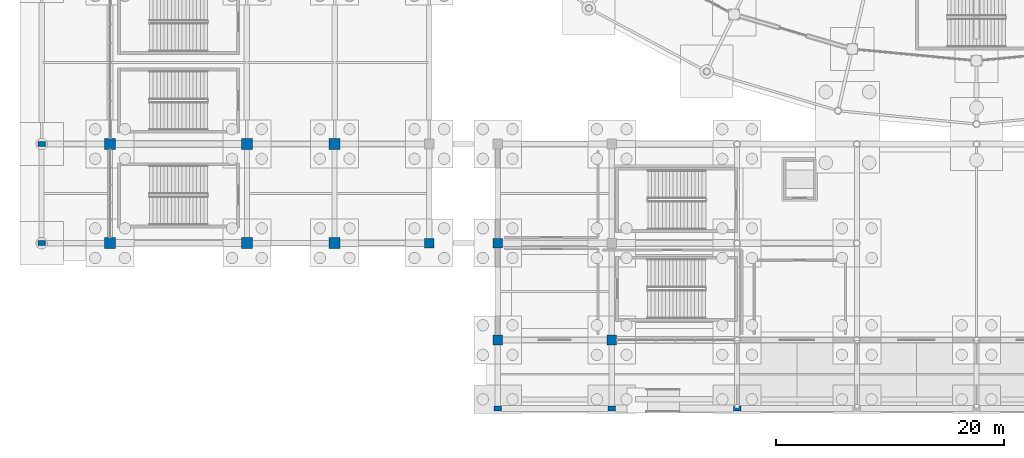
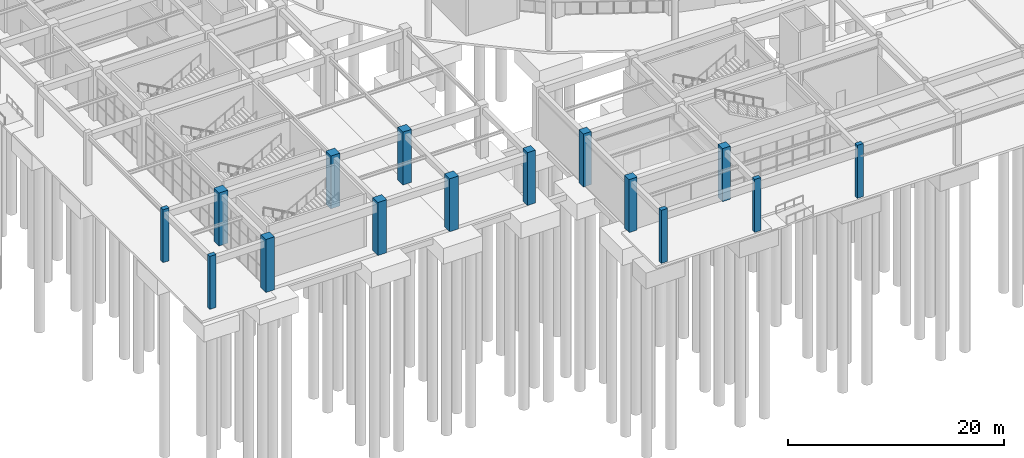
# One storey, part 9 of 121: 15 columns.
"""IFC4 building model written with IfcOpenShell, lengths in metres."""

import ifcopenshell
import ifcopenshell.guid

model = None  # the IFC model being written
_history = None  # IfcOwnerHistory: only IFC2X3 demands one
_inside = {}  # id of a spatial element -> (the spatial element, [elements in it])
_under = {}  # id of a project, library or spatial element -> (it, [spatial elements below it])
_declared = {}  # id of a project -> (the project, [libraries it declares])
_typed = {}  # id of a type object -> (the type object, [elements of that type])
_made_of = {}  # id of a material, layer set ... -> (it, [elements and type objects made of it])


def new_model(schema):
    """Start an empty IFC model of exactly this schema.

    Asked for "IFC4X3", IfcOpenShell would pick the latest addendum, in which some entities
    have other attributes; the version numbers below select the first issue.
    IFC2X3 requires an IfcOwnerHistory on every rooted entity: one is made here for all.
    """
    global model, _history
    if schema == "IFC4X3":
        model = ifcopenshell.file(schema_version=(4, 3, 0, 0))
    else:
        model = ifcopenshell.file(schema=schema)
    _inside.clear()
    _under.clear()
    _declared.clear()
    _typed.clear()
    _made_of.clear()
    _history = None
    if model.schema == "IFC2X3":
        org = make("IfcOrganization", Name="unknown")
        user = make(
            "IfcPersonAndOrganization",
            ThePerson=make("IfcPerson", FamilyName="unknown"),
            TheOrganization=org,
        )
        app = make(
            "IfcApplication",
            ApplicationDeveloper=org,
            Version="unknown",
            ApplicationFullName="unknown",
            ApplicationIdentifier="unknown",
        )
        _history = make(
            "IfcOwnerHistory",
            OwningUser=user,
            OwningApplication=app,
            ChangeAction="ADDED",
            CreationDate=0,
        )
    return model


def make(cls, **values):
    """One entity of the class cls with the attributes given. An attribute that is None is left unset."""
    return model.create_entity(
        cls, **{name: value for name, value in values.items() if value is not None}
    )


def rooted(cls, **values):
    """An entity with a GlobalId (a new one), such as an element, a storey or a relation."""
    return make(cls, GlobalId=ifcopenshell.guid.new(), OwnerHistory=_history, **values)


def si_unit(unit_type, name, prefix=None):
    """IfcSIUnit, for example si_unit("LENGTHUNIT", "METRE", prefix="MILLI")."""
    return make("IfcSIUnit", UnitType=unit_type, Prefix=prefix, Name=name)


def assignment(units):
    """IfcUnitAssignment: the units of a project."""
    return None if units is None else make("IfcUnitAssignment", Units=units)


def point(xyz):
    """IfcCartesianPoint."""
    return None if xyz is None else make("IfcCartesianPoint", Coordinates=xyz)


def direction(xyz):
    """IfcDirection."""
    return None if xyz is None else make("IfcDirection", DirectionRatios=xyz)


def frame(location, z_axis=None, x_axis=None):
    """IfcAxis2Placement3D, a coordinate frame: its origin and axes. An axis left out is left unset."""
    return make(
        "IfcAxis2Placement3D",
        Location=point(location),
        Axis=direction(z_axis),
        RefDirection=direction(x_axis),
    )


def frame_2d(location, x_axis=None):
    """IfcAxis2Placement2D, a coordinate frame in the plane: its origin and x axis."""
    return make(
        "IfcAxis2Placement2D", Location=point(location), RefDirection=direction(x_axis)
    )


def origin():
    """The frame at (0, 0, 0) with its axes left unset."""
    return frame((0.0, 0.0, 0.0))


def origin_2d():
    """The frame at (0, 0) in the plane with its x axis left unset."""
    return frame_2d((0.0, 0.0))


def place(relative_to, where):
    """IfcLocalPlacement: puts the frame where relative to a parent placement (None: the world)."""
    return make(
        "IfcLocalPlacement", PlacementRelTo=relative_to, RelativePlacement=where
    )


def context(
    kind, dimensions, precision=None, world=None, true_north=None, identifier=None
):
    """IfcGeometricRepresentationContext, for example the 3D "Model" context."""
    return make(
        "IfcGeometricRepresentationContext",
        ContextIdentifier=identifier,
        ContextType=kind,
        CoordinateSpaceDimension=dimensions,
        Precision=precision,
        WorldCoordinateSystem=world,
        TrueNorth=true_north,
    )


def subcontext(parent, identifier, kind, view, scale=None):
    """IfcGeometricRepresentationSubContext, for example "Body" below "Model"."""
    return make(
        "IfcGeometricRepresentationSubContext",
        ContextIdentifier=identifier,
        ContextType=kind,
        ParentContext=parent,
        TargetScale=scale,
        TargetView=view,
    )


def project(units=None, contexts=None):
    """IfcProject with its units and contexts."""
    return rooted(
        "IfcProject",
        Name="project",
        RepresentationContexts=contexts,
        UnitsInContext=assignment(units),
    )


def spatial(cls, under=None, at=None, **own):
    """A site, building, storey or space (cls), placed at a placement, below another one or the project."""
    s = rooted(cls, ObjectPlacement=at, **own)
    if under is not None:
        _under.setdefault(under.id(), (under, []))[1].append(s)
    return s


def profile(cls, at=None, kind="AREA", **sizes):
    """A parametric profile (cls). Its sizes go by their IFC names, for example OverallWidth=200.0."""
    return make(cls, ProfileType=kind, Position=at, **sizes)


def rectangle(**sizes):
    """IfcRectangleProfileDef."""
    return profile("IfcRectangleProfileDef", **sizes)


def extrude(swept, where, along, depth):
    """IfcExtrudedAreaSolid: the profile swept, set in the frame where, extruded along a direction by depth."""
    return make(
        "IfcExtrudedAreaSolid",
        SweptArea=swept,
        Position=where,
        ExtrudedDirection=direction(along),
        Depth=depth,
    )


def shape(context_of_items, identifier, shape_type, items):
    """IfcShapeRepresentation: the items that make up one representation, for example the "Body"."""
    return make(
        "IfcShapeRepresentation",
        ContextOfItems=context_of_items,
        RepresentationIdentifier=identifier,
        RepresentationType=shape_type,
        Items=items,
    )


def material(Name=None, Category=None):
    """IfcMaterial."""
    return make("IfcMaterial", Name=Name, Category=Category)


def material_profile(
    of_material, cross_section, Name=None, Category=None, Priority=None
):
    """IfcMaterialProfile: a cross section and its material."""
    return make(
        "IfcMaterialProfile",
        Name=Name,
        Material=of_material,
        Profile=cross_section,
        Priority=Priority,
        Category=Category,
    )


def profile_set(profiles, Name=None, composite=None):
    """IfcMaterialProfileSet."""
    return make(
        "IfcMaterialProfileSet",
        Name=Name,
        MaterialProfiles=profiles,
        CompositeProfile=composite,
    )


def made_of(thing, what):
    """Note that an element or type object is made of a material, layer set ...; save() writes the relation."""
    if what is not None:
        _made_of.setdefault(what.id(), (what, []))[1].append(thing)
    return thing


def type_object(cls, material=None, **own):
    """A type object (cls), such as IfcWallType, which elements share."""
    return made_of(rooted(cls, **own), material)


def element(
    cls,
    number,
    at=None,
    inside=None,
    cuts=None,
    type_object=None,
    material=None,
    context=None,
    identifier="Body",
    shape_type=None,
    held_by="IfcProductDefinitionShape",
    body=None,
    shapes=None,
    **own,
):
    """One element of the class cls, such as IfcWall. Its Tag is "e" and its number.

    at: its placement. inside: the storey or other place that contains it. cuts: it is an
    opening in that element (IfcRelVoidsElement). A single representation is given by context,
    identifier, shape_type and body (its items); several are given by shapes. held_by: the class
    of the entity that holds the representations. save() writes the other relations.
    """
    e = rooted(cls, Tag="e%d" % number, ObjectPlacement=at, **own)
    if body is not None:
        shapes = [shape(context, identifier, shape_type, body)]
    if shapes is not None:
        e.Representation = make(held_by, Representations=shapes)
    if inside is not None:
        _inside.setdefault(inside.id(), (inside, []))[1].append(e)
    if cuts is not None:
        rooted(
            "IfcRelVoidsElement", RelatingBuildingElement=cuts, RelatedOpeningElement=e
        )
    if type_object is not None:
        _typed.setdefault(type_object.id(), (type_object, []))[1].append(e)
    return made_of(e, material)


def aggregate(whole, parts):
    """IfcRelAggregates: a whole, such as a stair, and the parts it consists of."""
    return rooted("IfcRelAggregates", RelatingObject=whole, RelatedObjects=parts)


def save(model, path):
    """Write the relations noted so far, then the file.

    IfcRelAggregates (storeys below a building ...), IfcRelContainedInSpatialStructure (elements
    in a storey), IfcRelDefinesByType, IfcRelAssociatesMaterial and IfcRelDeclares: one each for
    every whole, place, type object, material and project.
    """
    for whole, parts in _under.values():
        aggregate(whole, parts)
    for where, things in _inside.values():
        rooted(
            "IfcRelContainedInSpatialStructure",
            RelatedElements=things,
            RelatingStructure=where,
        )
    for kind, things in _typed.values():
        rooted("IfcRelDefinesByType", RelatedObjects=things, RelatingType=kind)
    for what, things in _made_of.values():
        rooted("IfcRelAssociatesMaterial", RelatedObjects=things, RelatingMaterial=what)
    for by, libraries in _declared.values():
        rooted("IfcRelDeclares", RelatingContext=by, RelatedDefinitions=libraries)
    model.write(path)


model = new_model("IFC4")

# Units and contexts
model_context = context("Model", 3, precision=1e-05, world=origin(), true_north=direction((0.0, 1.0)))
body_context = subcontext(model_context, "Body", "Model", "MODEL_VIEW")
ifc_project = project(units=[si_unit("LENGTHUNIT", "METRE"), si_unit("AREAUNIT", "SQUARE_METRE"), si_unit("VOLUMEUNIT", "CUBIC_METRE"), si_unit("PLANEANGLEUNIT", "RADIAN"), si_unit("MASSUNIT", "GRAM", prefix="KILO")], contexts=[model_context])

# Site, building, storey
site_placement = place(None, origin())
site = spatial("IfcSite", under=ifc_project, at=site_placement, CompositionType="ELEMENT")
building_placement = place(site_placement, origin())
building = spatial("IfcBuilding", under=site, at=building_placement, Name="Cuetzalor Civic Arena", CompositionType="ELEMENT")
storey_placement = place(building_placement, origin())
storey = spatial("IfcBuildingStorey", under=building, at=storey_placement, Name="L00", CompositionType="ELEMENT", Elevation=0.0)

# Columns
ifc_material_1 = material(Name="Concrete C40/50", Category="concrete")
ifc_material_profile_1 = material_profile(ifc_material_1, rectangle(XDim=0.64990234375, YDim=0.449951171875, at=origin_2d()), Name="RC 650x450")
ifc_profile_set_1 = profile_set([ifc_material_profile_1], Name="Concrete C40/50")
column_type_1 = type_object("IfcColumnType", Name="ArcadePilaster_650x450", PredefinedType="PILASTER", material=ifc_profile_set_1)
for number, where, z_axis, x_axis, name in (
    (1, (-42.0, -71.5, 0.0), (0.0, 0.0, 1.0), (1.0, 0.0, 0.0), "Column V3-C-01-01 L00"),
    (2, (-32.0, -71.5, 0.0), (0.0, 0.0, 1.0), (1.0, 0.0, 0.0), "Column V3-C-02-01 L00"),
    (3, (-21.0, -71.5, 0.0), (0.0, 0.0, 1.0), (1.0, 0.0, 0.0), "Column V3-C-03-01 L00"),
    (4, (-82.0, -57.0, 0.0), (0.0, 0.0, 1.0), (1.0, 0.0, 0.0), "Column V4W-C-01-01 L00"),
    (5, (-82.0, -48.300048828125, 0.0), (0.0, 0.0, 1.0), (1.0, 0.0, 0.0), "Column V4W-C-01-02 L00"),
):
    element("IfcColumn", number, at=place(storey_placement, frame(where, z_axis=z_axis, x_axis=x_axis)), inside=storey, type_object=column_type_1, Name=name, PredefinedType="PILASTER", context=body_context, shape_type="SweptSolid", body=[
        extrude(rectangle(XDim=0.64990234375, YDim=0.449951171875, at=origin_2d()), origin(), (0.0, 0.0, 1.0), 6.0),
    ])
ifc_material_2 = material(Name="Concrete C40/50", Category="concrete")
ifc_material_profile_2 = material_profile(ifc_material_2, rectangle(XDim=0.85009765625, YDim=0.85009765625, at=origin_2d()), Name="RC 850x850")
ifc_profile_set_2 = profile_set([ifc_material_profile_2], Name="Concrete C40/50")
column_type_2 = type_object("IfcColumnType", Name="ConcreteColumn_850", PredefinedType="COLUMN", material=ifc_profile_set_2)
for number, where, z_axis, x_axis, name in (
    (6, (-42.0, -65.5, 0.0), (0.0, 0.0, 1.0), (1.0, 0.0, 0.0), "Column V3-C-01-02 L00"),
    (7, (-42.0, -57.0, 0.0), (0.0, 0.0, 1.0), (1.0, 0.0, 0.0), "Column V3-C-01-03 L00"),
    (8, (-32.0, -65.5, 0.0), (0.0, 0.0, 1.0), (1.0, 0.0, 0.0), "Column V3-C-02-02 L00"),
    (9, (-48.0, -57.0, 0.0), (0.0, 0.0, 1.0), (1.0, 0.0, 0.0), "Column V4W-RET-01 L00"),
):
    element("IfcColumn", number, at=place(storey_placement, frame(where, z_axis=z_axis, x_axis=x_axis)), inside=storey, type_object=column_type_2, Name=name, PredefinedType="COLUMN", context=body_context, shape_type="SweptSolid", body=[
        extrude(rectangle(XDim=0.85009765625, YDim=0.85009765625, at=origin_2d()), origin(), (0.0, 0.0, 1.0), 6.0),
    ])
ifc_material_3 = material(Name="Concrete C40/50", Category="concrete")
ifc_material_profile_3 = material_profile(ifc_material_3, rectangle(XDim=0.949951171875, YDim=0.949951171875, at=origin_2d()), Name="RC 950x950")
ifc_profile_set_3 = profile_set([ifc_material_profile_3], Name="Concrete C40/50")
column_type_3 = type_object("IfcColumnType", Name="ConcreteColumn_950", PredefinedType="COLUMN", material=ifc_profile_set_3)
for number, where, z_axis, x_axis, name in (
    (10, (-76.0, -57.0, 0.0), (0.0, 0.0, 1.0), (1.0, 0.0, 0.0), "Column V4W-C-02-01 L00"),
    (11, (-76.0, -48.300048828125, 0.0), (0.0, 0.0, 1.0), (1.0, 0.0, 0.0), "Column V4W-C-02-02 L00"),
    (12, (-64.0, -57.0, 0.0), (0.0, 0.0, 1.0), (1.0, 0.0, 0.0), "Column V4W-C-03-01 L00"),
    (13, (-64.0, -48.300048828125, 0.0), (0.0, 0.0, 1.0), (1.0, 0.0, 0.0), "Column V4W-C-03-02 L00"),
    (14, (-56.300048828125, -57.0, 0.0), (0.0, 0.0, 1.0), (1.0, 0.0, 0.0), "Column V4W-C-04-01 L00"),
    (15, (-56.300048828125, -48.300048828125, 0.0), (0.0, 0.0, 1.0), (1.0, 0.0, 0.0), "Column V4W-C-04-02 L00"),
):
    element("IfcColumn", number, at=place(storey_placement, frame(where, z_axis=z_axis, x_axis=x_axis)), inside=storey, type_object=column_type_3, Name=name, PredefinedType="COLUMN", context=body_context, shape_type="SweptSolid", body=[
        extrude(rectangle(XDim=0.949951171875, YDim=0.949951171875, at=origin_2d()), origin(), (0.0, 0.0, 1.0), 6.0),
    ])

save(model, "model.ifc")
